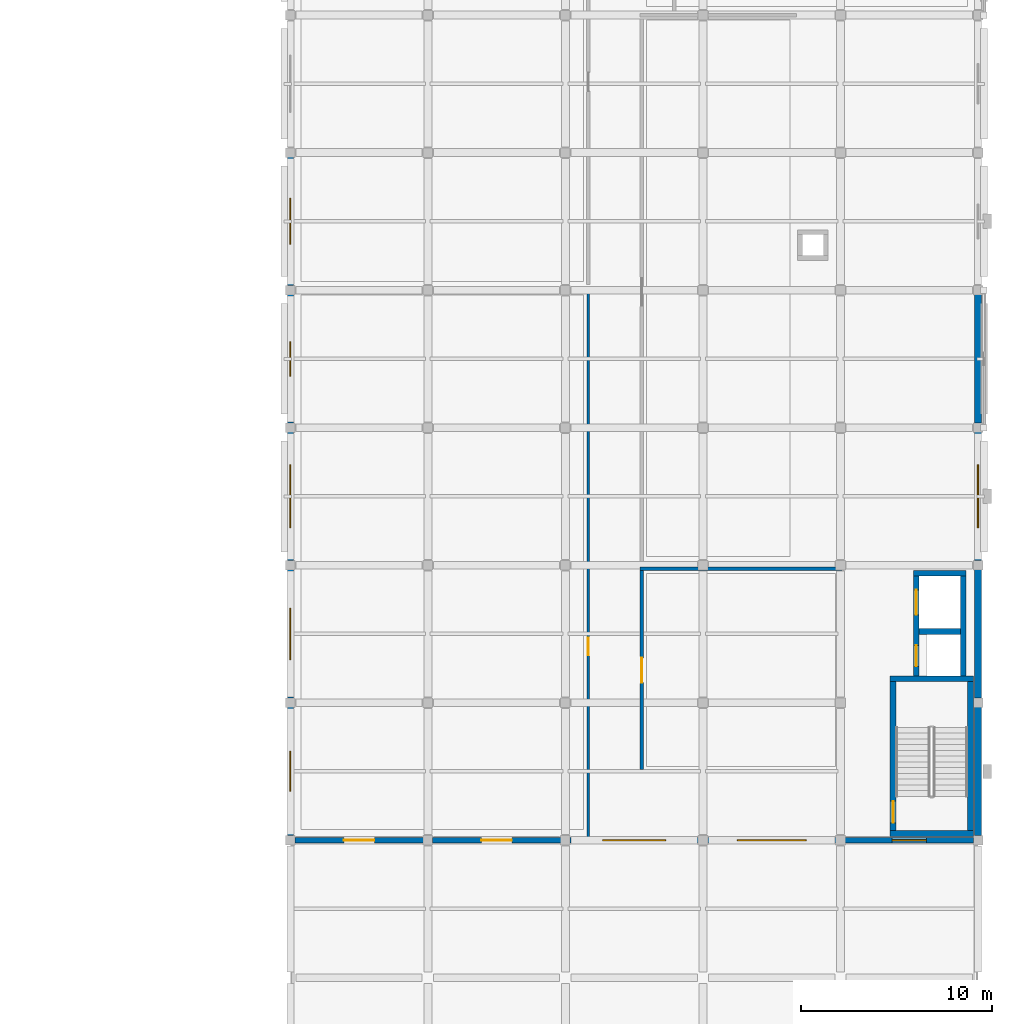
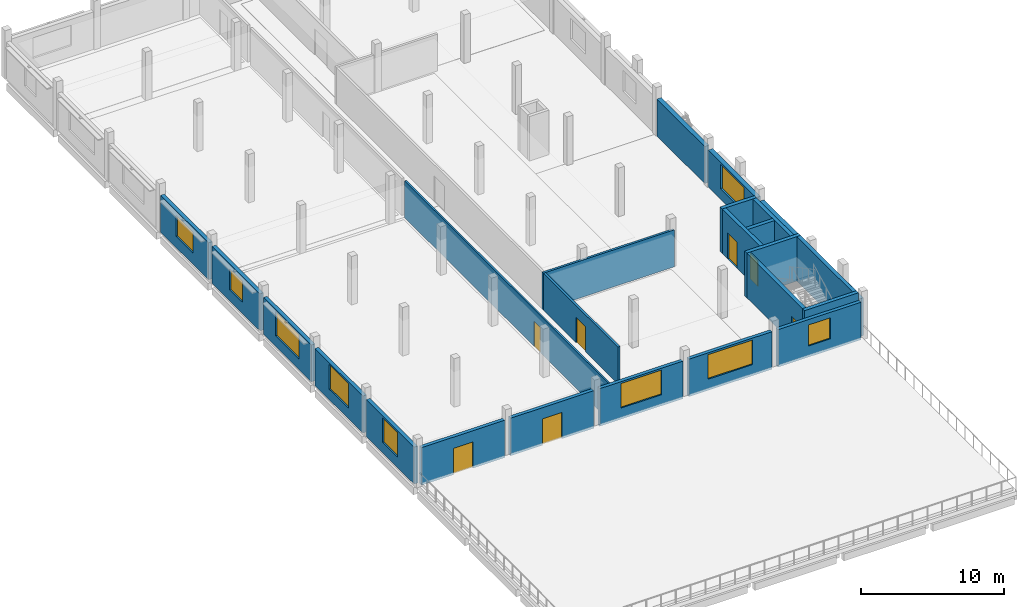
# One storey, part 22 of 33: 25 walls, 9 windows, 7 doors, 16 openings.
"""IFC4 building model written with IfcOpenShell, lengths in metres."""

from ifc_helpers import new_model, si_unit, direction, frame, frame_2d, origin, place, context, subcontext, project, spatial, rectangle, extrude, material, layer, layer_set, type_object, element, fill, save


model = new_model("IFC4")

# Units and contexts
model_context = context("Model", 3, precision=1e-05, world=origin(), true_north=direction((0.0, 1.0)))
body_context = subcontext(model_context, "Body", "Model", "MODEL_VIEW")
ifc_project = project(units=[si_unit("LENGTHUNIT", "METRE"), si_unit("AREAUNIT", "SQUARE_METRE"), si_unit("VOLUMEUNIT", "CUBIC_METRE"), si_unit("PLANEANGLEUNIT", "RADIAN"), si_unit("MASSUNIT", "GRAM", prefix="KILO")], contexts=[model_context])

# Site, building, storey
site_placement = place(None, origin())
site = spatial("IfcSite", under=ifc_project, at=site_placement, CompositionType="ELEMENT")
building_placement = place(site_placement, origin())
building = spatial("IfcBuilding", under=site, at=building_placement, Name="Valkovuoma Quantum and Materials Research Institute", CompositionType="ELEMENT")
storey_placement = place(building_placement, frame((0.0, 0.0, 21.43994140625)))
storey = spatial("IfcBuildingStorey", under=building, at=storey_placement, Name="L05", CompositionType="ELEMENT", Elevation=21.43994140625)

# Walls
ifc_material_1 = material(Name="Concrete C40/50", Category="concrete")
ifc_layer_1 = layer(ifc_material_1, 0.300048828125)
ifc_layer_set_1 = layer_set([ifc_layer_1], Name="Concrete C40/50")
wall_type_1 = type_object("IfcWallType", Name="Wall-W-COR300", PredefinedType="SHEAR", material=ifc_layer_set_1)
for number, where, z_axis, x_axis, name in (
    (1, (161.0, 57.949951171875, 0.0), (0.0, 0.0, 1.0), (1.0, 0.0, 0.0), "L05 core wall 0247"),
    (2, (161.0, 66.050048828125, 0.0), (0.0, 0.0, 1.0), (1.0, 0.0, 0.0), "L05 core wall 0248"),
):
    element("IfcWall", number, at=place(storey_placement, frame(where, z_axis=z_axis, x_axis=x_axis)), inside=storey, type_object=wall_type_1, Name=name, PredefinedType="SHEAR", context=body_context, shape_type="SweptSolid", body=[
        extrude(rectangle(XDim=4.35009765625, YDim=0.300048828125, at=frame_2d((2.175048828125, 0.0))), origin(), (0.0, 0.0, 1.0), 3.81005859375),
    ])

# Wall, opening, door
wall_1_placement = place(storey_placement, frame((161.14990234375, 58.10009765625, 0.0), z_axis=(0.0, 0.0, 1.0), x_axis=(0.0, 1.0, 0.0)))
wall_1 = element("IfcWall", 3, at=wall_1_placement, inside=storey, type_object=wall_type_1, Name="L05 core wall 0249", PredefinedType="SHEAR", context=body_context, shape_type="SweptSolid", body=[
    extrude(rectangle(XDim=7.7998046875, YDim=0.300048828125, at=frame_2d((3.89990234375, 0.0))), origin(), (0.0, 0.0, 1.0), 3.81005859375),
])
opening_1_placement = place(wall_1_placement, frame((0.39990234375, 0.0, 0.0)))
opening_1 = element("IfcOpeningElement", 4, at=opening_1_placement, cuts=wall_1, Name="Opening SD-040", PredefinedType="OPENING", context=body_context, shape_type="SweptSolid", body=[
    extrude(rectangle(XDim=1.14990234375, YDim=2.199951171875, at=frame_2d((0.574951171875, 1.10009765625))), frame((0.0, 0.16015625, 0.0), z_axis=(0.0, -1.0, 0.0), x_axis=(1.0, 0.0, 0.0)), (0.0, 0.0, 1.0), 0.320068359375),
])
ifc_material_2 = material(Name="Powder-coated steel and acoustic timber door assembly", Category="steel")
door_type_1 = type_object("IfcDoorType", Name="Door-DR-ST60", OperationType="NOTDEFINED", PredefinedType="DOOR", material=ifc_material_2)
door_1_placement = place(opening_1_placement, frame((1.14990234375, 0.0, 0.0), z_axis=(0.0, 0.0, 1.0), x_axis=(-1.0, 0.0, 0.0)))
door_1 = element("IfcDoor", 5, at=door_1_placement, inside=storey, type_object=door_type_1, Name="L05 ST-3 fire door", OperationType="SINGLE_SWING_LEFT", OverallHeight=2.199951171875, OverallWidth=1.14990234375, PredefinedType="DOOR", context=body_context, shape_type="SweptSolid", body=[
    extrude(rectangle(XDim=1.14990234375, YDim=2.199951171875, at=frame_2d((0.574951171875, 1.10009765625))), frame((0.0, 0.02490234375, 0.0), z_axis=(0.0, -1.0, 0.0), x_axis=(1.0, 0.0, 0.0)), (0.0, 0.0, 1.0), 0.050048828125),
])
fill(opening_1, door_1)

# Walls
wall_2_placement = place(storey_placement, frame((165.199951171875, 58.10009765625, 0.0), z_axis=(0.0, 0.0, 1.0), x_axis=(0.0, 1.0, 0.0)))
element("IfcWall", 6, at=wall_2_placement, inside=storey, type_object=wall_type_1, Name="L05 core wall 0250", PredefinedType="SHEAR", context=body_context, shape_type="SweptSolid", body=[
    extrude(rectangle(XDim=7.7998046875, YDim=0.300048828125, at=frame_2d((3.89990234375, 0.0))), origin(), (0.0, 0.0, 1.0), 3.81005859375),
])
wall_3_placement = place(storey_placement, frame((162.219970703125, 71.580078125, 0.0), z_axis=(0.0, 0.0, 1.0), x_axis=(1.0, 0.0, 0.0)))
element("IfcWall", 7, at=wall_3_placement, inside=storey, type_object=wall_type_1, Name="L05 core wall 0251", PredefinedType="SHEAR", context=body_context, shape_type="SweptSolid", body=[
    extrude(rectangle(XDim=2.760009765625, YDim=0.300048828125, at=frame_2d((1.3798828125, 0.0))), origin(), (0.0, 0.0, 1.0), 3.81005859375),
])
wall_4_placement = place(storey_placement, frame((162.52001953125, 68.52490234375, 0.0), z_axis=(0.0, 0.0, 1.0), x_axis=(1.0, 0.0, 0.0)))
element("IfcWall", 8, at=wall_4_placement, inside=storey, type_object=wall_type_1, Name="L05 core wall 0252", PredefinedType="SHEAR", context=body_context, shape_type="SweptSolid", body=[
    extrude(rectangle(XDim=2.159912109375, YDim=0.300048828125, at=frame_2d((1.080078125, 0.0))), origin(), (0.0, 0.0, 1.0), 3.81005859375),
])

# Wall, openings, doors
wall_5_placement = place(storey_placement, frame((162.3701171875, 66.199951171875, 0.0), z_axis=(0.0, 0.0, 1.0), x_axis=(0.0, 1.0, 0.0)))
wall_5 = element("IfcWall", 9, at=wall_5_placement, inside=storey, type_object=wall_type_1, Name="L05 core wall 0253", PredefinedType="SHEAR", context=body_context, shape_type="SweptSolid", body=[
    extrude(rectangle(XDim=5.22998046875, YDim=0.300048828125, at=frame_2d((2.614990234375, 0.0))), origin(), (0.0, 0.0, 1.0), 3.81005859375),
])
opening_2_placement = place(wall_5_placement, frame((0.5, 0.0, 0.0)))
opening_2 = element("IfcOpeningElement", 10, at=opening_2_placement, cuts=wall_5, Name="Opening LD-046", PredefinedType="OPENING", context=body_context, shape_type="SweptSolid", body=[
    extrude(rectangle(XDim=1.10009765625, YDim=2.199951171875, at=frame_2d((0.550048828125, 1.10009765625))), frame((0.0, 0.16015625, 0.0), z_axis=(0.0, -1.0, 0.0), x_axis=(1.0, 0.0, 0.0)), (0.0, 0.0, 1.0), 0.320068359375),
])
opening_3_placement = place(wall_5_placement, frame((3.199951171875, 0.0, 0.0)))
opening_3 = element("IfcOpeningElement", 11, at=opening_3_placement, cuts=wall_5, Name="Opening LD-047", PredefinedType="OPENING", context=body_context, shape_type="SweptSolid", body=[
    extrude(rectangle(XDim=1.300048828125, YDim=2.199951171875, at=frame_2d((0.64990234375, 1.10009765625))), frame((0.0, 0.16015625, 0.0), z_axis=(0.0, -1.0, 0.0), x_axis=(1.0, 0.0, 0.0)), (0.0, 0.0, 1.0), 0.320068359375),
])
ifc_material_3 = material(Name="Powder-coated steel and acoustic timber door assembly", Category="steel")
door_type_2 = type_object("IfcDoorType", Name="Door-DR-LD01", OperationType="NOTDEFINED", PredefinedType="DOOR", material=ifc_material_3)
door_2_placement = place(opening_2_placement, origin())
door_2 = element("IfcDoor", 12, at=door_2_placement, inside=storey, type_object=door_type_2, Name="L05 LIFT-P3 sliding landing door", OperationType="SLIDING_TO_LEFT", OverallHeight=2.199951171875, OverallWidth=1.10009765625, PredefinedType="DOOR", context=body_context, shape_type="SweptSolid", body=[
    extrude(rectangle(XDim=1.10009765625, YDim=2.199951171875, at=frame_2d((0.550048828125, 1.10009765625))), frame((0.0, 0.02490234375, 0.0), z_axis=(0.0, -1.0, 0.0), x_axis=(1.0, 0.0, 0.0)), (0.0, 0.0, 1.0), 0.050048828125),
])
fill(opening_2, door_2)
ifc_material_4 = material(Name="Powder-coated steel and acoustic timber door assembly", Category="steel")
door_type_3 = type_object("IfcDoorType", Name="Door-DR-LD02", OperationType="NOTDEFINED", PredefinedType="DOOR", material=ifc_material_4)
door_3_placement = place(opening_3_placement, origin())
door_3 = element("IfcDoor", 13, at=door_3_placement, inside=storey, type_object=door_type_3, Name="L05 LIFT-G1 sliding landing door", OperationType="SLIDING_TO_LEFT", OverallHeight=2.199951171875, OverallWidth=1.300048828125, PredefinedType="DOOR", context=body_context, shape_type="SweptSolid", body=[
    extrude(rectangle(XDim=1.300048828125, YDim=2.199951171875, at=frame_2d((0.64990234375, 1.10009765625))), frame((0.0, 0.02490234375, 0.0), z_axis=(0.0, -1.0, 0.0), x_axis=(1.0, 0.0, 0.0)), (0.0, 0.0, 1.0), 0.050048828125),
])
fill(opening_3, door_3)

# Wall
wall_6_placement = place(storey_placement, frame((164.830078125, 66.199951171875, 0.0), z_axis=(0.0, 0.0, 1.0), x_axis=(0.0, 1.0, 0.0)))
element("IfcWall", 14, at=wall_6_placement, inside=storey, type_object=wall_type_1, Name="L05 core wall 0254", PredefinedType="SHEAR", context=body_context, shape_type="SweptSolid", body=[
    extrude(rectangle(XDim=5.22998046875, YDim=0.300048828125, at=frame_2d((2.614990234375, 0.0))), origin(), (0.0, 0.0, 1.0), 3.81005859375),
])

# Wall, opening, door
ifc_material_5 = material(Name="Precast concrete C40/50", Category="concrete")
ifc_layer_2 = layer(ifc_material_5, 0.280029296875)
ifc_layer_set_2 = layer_set([ifc_layer_2], Name="Precast concrete C40/50")
wall_type_2 = type_object("IfcWallType", Name="Wall-W-EXT280", PredefinedType="SOLIDWALL", material=ifc_layer_set_2)
wall_7_placement = place(storey_placement, frame((129.840087890625, 57.60009765625, 0.0), z_axis=(0.0, 0.0, 1.0), x_axis=(1.0, 0.0, 0.0)))
wall_7 = element("IfcWall", 15, at=wall_7_placement, inside=storey, type_object=wall_type_2, Name="L05 exterior wall 0354", PredefinedType="SOLIDWALL", context=body_context, shape_type="SweptSolid", body=[
    extrude(rectangle(XDim=6.719970703125, YDim=0.280029296875, at=frame_2d((3.35986328125, 0.0))), origin(), (0.0, 0.0, 1.0), 3.2099609375),
])
opening_4_placement = place(wall_7_placement, frame((2.56005859375, 0.0, 0.0)))
opening_4 = element("IfcOpeningElement", 16, at=opening_4_placement, cuts=wall_7, Name="Opening ED-030", PredefinedType="OPENING", context=body_context, shape_type="SweptSolid", body=[
    extrude(rectangle(XDim=1.60009765625, YDim=2.25, at=frame_2d((0.800048828125, 1.125))), frame((0.0, 0.14990234375, 0.0), z_axis=(0.0, -1.0, 0.0), x_axis=(1.0, 0.0, 0.0)), (0.0, 0.0, 1.0), 0.300048828125),
])
ifc_material_6 = material(Name="Thermally broken insulated aluminium and steel door", Category="steel")
door_type_4 = type_object("IfcDoorType", Name="Door-DR-TR04", OperationType="NOTDEFINED", PredefinedType="DOOR", material=ifc_material_6)
door_4_placement = place(opening_4_placement, frame((1.60009765625, 0.0, 0.0), z_axis=(0.0, 0.0, 1.0), x_axis=(-1.0, 0.0, 0.0)))
door_4 = element("IfcDoor", 17, at=door_4_placement, inside=storey, type_object=door_type_4, Name="L05 exterior door 030", OperationType="DOUBLE_DOOR_SINGLE_SWING", OverallHeight=2.25, OverallWidth=1.60009765625, PredefinedType="DOOR", context=body_context, shape_type="SweptSolid", body=[
    extrude(rectangle(XDim=1.60009765625, YDim=2.25, at=frame_2d((0.800048828125, 1.125))), frame((0.0, 0.02490234375, 0.0), z_axis=(0.0, -1.0, 0.0), x_axis=(1.0, 0.0, 0.0)), (0.0, 0.0, 1.0), 0.050048828125),
])
fill(opening_4, door_4)

wall_8_placement = place(storey_placement, frame((137.0400390625, 57.60009765625, 0.0), z_axis=(0.0, 0.0, 1.0), x_axis=(1.0, 0.0, 0.0)))
wall_8 = element("IfcWall", 18, at=wall_8_placement, inside=storey, type_object=wall_type_2, Name="L05 exterior wall 0355", PredefinedType="SOLIDWALL", context=body_context, shape_type="SweptSolid", body=[
    extrude(rectangle(XDim=6.719970703125, YDim=0.280029296875, at=frame_2d((3.35986328125, 0.0))), origin(), (0.0, 0.0, 1.0), 3.2099609375),
])
opening_5_placement = place(wall_8_placement, frame((2.56005859375, 0.0, 0.0)))
opening_5 = element("IfcOpeningElement", 19, at=opening_5_placement, cuts=wall_8, Name="Opening ED-031", PredefinedType="OPENING", context=body_context, shape_type="SweptSolid", body=[
    extrude(rectangle(XDim=1.60009765625, YDim=2.25, at=frame_2d((0.800048828125, 1.125))), frame((0.0, 0.14990234375, 0.0), z_axis=(0.0, -1.0, 0.0), x_axis=(1.0, 0.0, 0.0)), (0.0, 0.0, 1.0), 0.300048828125),
])
door_5_placement = place(opening_5_placement, frame((1.60009765625, 0.0, 0.0), z_axis=(0.0, 0.0, 1.0), x_axis=(-1.0, 0.0, 0.0)))
door_5 = element("IfcDoor", 20, at=door_5_placement, inside=storey, type_object=door_type_4, Name="L05 exterior door 031", OperationType="DOUBLE_DOOR_SINGLE_SWING", OverallHeight=2.25, OverallWidth=1.60009765625, PredefinedType="DOOR", context=body_context, shape_type="SweptSolid", body=[
    extrude(rectangle(XDim=1.60009765625, YDim=2.25, at=frame_2d((0.800048828125, 1.125))), frame((0.0, 0.02490234375, 0.0), z_axis=(0.0, -1.0, 0.0), x_axis=(1.0, 0.0, 0.0)), (0.0, 0.0, 1.0), 0.050048828125),
])
fill(opening_5, door_5)

# Wall, opening, window
wall_9_placement = place(storey_placement, frame((144.239990234375, 57.60009765625, 0.0), z_axis=(0.0, 0.0, 1.0), x_axis=(1.0, 0.0, 0.0)))
wall_9 = element("IfcWall", 21, at=wall_9_placement, inside=storey, type_object=wall_type_2, Name="L05 exterior wall 0356", PredefinedType="SOLIDWALL", context=body_context, shape_type="SweptSolid", body=[
    extrude(rectangle(XDim=6.719970703125, YDim=0.280029296875, at=frame_2d((3.35986328125, 0.0))), origin(), (0.0, 0.0, 1.0), 3.2099609375),
])
opening_6_placement = place(wall_9_placement, frame((1.7099609375, 0.0, 0.949951171875)))
opening_6 = element("IfcOpeningElement", 22, at=opening_6_placement, cuts=wall_9, Name="Opening WN-WL06", PredefinedType="OPENING", context=body_context, shape_type="SweptSolid", body=[
    extrude(rectangle(XDim=3.300048828125, YDim=2.10009765625, at=frame_2d((1.64990234375, 1.050048828125))), frame((0.0, 0.14990234375, 0.0), z_axis=(0.0, -1.0, 0.0), x_axis=(1.0, 0.0, 0.0)), (0.0, 0.0, 1.0), 0.300048828125),
])
ifc_material_7 = material(Name="Triple low-E argon glazing in thermally broken aluminium frame", Category="aluminium")
window_type_1 = type_object("IfcWindowType", Name="Win-WN-WL06", PartitioningType="SINGLE_PANEL", PredefinedType="WINDOW", material=ifc_material_7)
window_1_placement = place(opening_6_placement, origin())
window_1 = element("IfcWindow", 23, at=window_1_placement, inside=storey, type_object=window_type_1, Name="L05 window 0355", OverallHeight=2.10009765625, OverallWidth=3.300048828125, PartitioningType="SINGLE_PANEL", PredefinedType="WINDOW", context=body_context, shape_type="SweptSolid", body=[
    extrude(rectangle(XDim=3.300048828125, YDim=2.10009765625, at=frame_2d((1.64990234375, 1.050048828125))), frame((0.0, 0.030029296875, 0.0), z_axis=(0.0, -1.0, 0.0), x_axis=(1.0, 0.0, 0.0)), (0.0, 0.0, 1.0), 0.06005859375),
])
fill(opening_6, window_1)

wall_10_placement = place(storey_placement, frame((151.43994140625, 57.60009765625, 0.0), z_axis=(0.0, 0.0, 1.0), x_axis=(1.0, 0.0, 0.0)))
wall_10 = element("IfcWall", 24, at=wall_10_placement, inside=storey, type_object=wall_type_2, Name="L05 exterior wall 0357", PredefinedType="SOLIDWALL", context=body_context, shape_type="SweptSolid", body=[
    extrude(rectangle(XDim=6.719970703125, YDim=0.280029296875, at=frame_2d((3.35986328125, 0.0))), origin(), (0.0, 0.0, 1.0), 3.2099609375),
])
opening_7_placement = place(wall_10_placement, frame((1.56005859375, 0.0, 0.949951171875)))
opening_7 = element("IfcOpeningElement", 25, at=opening_7_placement, cuts=wall_10, Name="Opening WN-WL07", PredefinedType="OPENING", context=body_context, shape_type="SweptSolid", body=[
    extrude(rectangle(XDim=3.60009765625, YDim=2.10009765625, at=frame_2d((1.800048828125, 1.050048828125))), frame((0.0, 0.14990234375, 0.0), z_axis=(0.0, -1.0, 0.0), x_axis=(1.0, 0.0, 0.0)), (0.0, 0.0, 1.0), 0.300048828125),
])
ifc_material_8 = material(Name="Triple low-E argon glazing in thermally broken aluminium frame", Category="aluminium")
window_type_2 = type_object("IfcWindowType", Name="Win-WN-WL07", PartitioningType="SINGLE_PANEL", PredefinedType="WINDOW", material=ifc_material_8)
window_2_placement = place(opening_7_placement, origin())
window_2 = element("IfcWindow", 26, at=window_2_placement, inside=storey, type_object=window_type_2, Name="L05 window 0356", OverallHeight=2.10009765625, OverallWidth=3.60009765625, PartitioningType="SINGLE_PANEL", PredefinedType="WINDOW", context=body_context, shape_type="SweptSolid", body=[
    extrude(rectangle(XDim=3.60009765625, YDim=2.10009765625, at=frame_2d((1.800048828125, 1.050048828125))), frame((0.0, 0.030029296875, 0.0), z_axis=(0.0, -1.0, 0.0), x_axis=(1.0, 0.0, 0.0)), (0.0, 0.0, 1.0), 0.06005859375),
])
fill(opening_7, window_2)

wall_11_placement = place(storey_placement, frame((158.639892578125, 57.60009765625, 0.0), z_axis=(0.0, 0.0, 1.0), x_axis=(1.0, 0.0, 0.0)))
wall_11 = element("IfcWall", 27, at=wall_11_placement, inside=storey, type_object=wall_type_2, Name="L05 exterior wall 0358", PredefinedType="SOLIDWALL", context=body_context, shape_type="SweptSolid", body=[
    extrude(rectangle(XDim=6.72021484375, YDim=0.280029296875, at=frame_2d((3.360107421875, 0.0))), origin(), (0.0, 0.0, 1.0), 3.2099609375),
])
opening_8_placement = place(wall_11_placement, frame((2.4599609375, 0.0, 0.949951171875)))
opening_8 = element("IfcOpeningElement", 28, at=opening_8_placement, cuts=wall_11, Name="Opening WN-WL08", PredefinedType="OPENING", context=body_context, shape_type="SweptSolid", body=[
    extrude(rectangle(XDim=1.800048828125, YDim=1.800048828125, at=frame_2d((0.89990234375, 0.89990234375))), frame((0.0, 0.14990234375, 0.0), z_axis=(0.0, -1.0, 0.0), x_axis=(1.0, 0.0, 0.0)), (0.0, 0.0, 1.0), 0.300048828125),
])
ifc_material_9 = material(Name="Triple low-E argon glazing in thermally broken aluminium frame", Category="aluminium")
window_type_3 = type_object("IfcWindowType", Name="Win-WN-WL08", PartitioningType="SINGLE_PANEL", PredefinedType="WINDOW", material=ifc_material_9)
window_3_placement = place(opening_8_placement, origin())
window_3 = element("IfcWindow", 29, at=window_3_placement, inside=storey, type_object=window_type_3, Name="L05 window 0357", OverallHeight=1.800048828125, OverallWidth=1.800048828125, PartitioningType="SINGLE_PANEL", PredefinedType="WINDOW", context=body_context, shape_type="SweptSolid", body=[
    extrude(rectangle(XDim=1.800048828125, YDim=1.800048828125, at=frame_2d((0.89990234375, 0.89990234375))), frame((0.0, 0.030029296875, 0.0), z_axis=(0.0, -1.0, 0.0), x_axis=(1.0, 0.0, 0.0)), (0.0, 0.0, 1.0), 0.06005859375),
])
fill(opening_8, window_3)

ifc_material_10 = material(Name="Precast concrete C40/50", Category="concrete")
ifc_layer_3 = layer(ifc_material_10, 0.300048828125)
ifc_layer_set_3 = layer_set([ifc_layer_3], Name="Precast concrete C40/50")
wall_type_3 = type_object("IfcWallType", Name="Wall-W-EXT300", PredefinedType="SOLIDWALL", material=ifc_layer_set_3)
wall_12_placement = place(storey_placement, frame((129.60009765625, 57.840087890625, 0.0), z_axis=(0.0, 0.0, 1.0), x_axis=(0.0, 1.0, 0.0)))
wall_12 = element("IfcWall", 30, at=wall_12_placement, inside=storey, type_object=wall_type_3, Name="L05 exterior wall 0346", PredefinedType="SOLIDWALL", context=body_context, shape_type="SweptSolid", body=[
    extrude(rectangle(XDim=6.719970703125, YDim=0.300048828125, at=frame_2d((3.35986328125, 0.0))), origin(), (0.0, 0.0, 1.0), 3.16015625),
])
opening_9_placement = place(wall_12_placement, frame((2.31005859375, 0.0, 0.89990234375)))
opening_9 = element("IfcOpeningElement", 31, at=opening_9_placement, cuts=wall_12, Name="Opening WN-WL02", PredefinedType="OPENING", context=body_context, shape_type="SweptSolid", body=[
    extrude(rectangle(XDim=2.10009765625, YDim=2.10009765625, at=frame_2d((1.050048828125, 1.050048828125))), frame((0.0, 0.16015625, 0.0), z_axis=(0.0, -1.0, 0.0), x_axis=(1.0, 0.0, 0.0)), (0.0, 0.0, 1.0), 0.320068359375),
])
ifc_material_11 = material(Name="Triple low-E argon glazing in thermally broken aluminium frame", Category="aluminium")
window_type_4 = type_object("IfcWindowType", Name="Win-WN-WL02", PartitioningType="SINGLE_PANEL", PredefinedType="WINDOW", material=ifc_material_11)
window_4_placement = place(opening_9_placement, origin())
window_4 = element("IfcWindow", 32, at=window_4_placement, inside=storey, type_object=window_type_4, Name="L05 window 0347", OverallHeight=2.10009765625, OverallWidth=2.10009765625, PartitioningType="SINGLE_PANEL", PredefinedType="WINDOW", context=body_context, shape_type="SweptSolid", body=[
    extrude(rectangle(XDim=2.10009765625, YDim=2.10009765625, at=frame_2d((1.050048828125, 1.050048828125))), frame((0.0, 0.030029296875, 0.0), z_axis=(0.0, -1.0, 0.0), x_axis=(1.0, 0.0, 0.0)), (0.0, 0.0, 1.0), 0.06005859375),
])
fill(opening_9, window_4)

wall_13_placement = place(storey_placement, frame((129.60009765625, 65.0400390625, 0.0), z_axis=(0.0, 0.0, 1.0), x_axis=(0.0, 1.0, 0.0)))
wall_13 = element("IfcWall", 33, at=wall_13_placement, inside=storey, type_object=wall_type_3, Name="L05 exterior wall 0347", PredefinedType="SOLIDWALL", context=body_context, shape_type="SweptSolid", body=[
    extrude(rectangle(XDim=6.719970703125, YDim=0.300048828125, at=frame_2d((3.35986328125, 0.0))), origin(), (0.0, 0.0, 1.0), 3.16015625),
])
opening_10_placement = place(wall_13_placement, frame((2.010009765625, 0.0, 0.89990234375)))
opening_10 = element("IfcOpeningElement", 34, at=opening_10_placement, cuts=wall_13, Name="Opening WN-WL04", PredefinedType="OPENING", context=body_context, shape_type="SweptSolid", body=[
    extrude(rectangle(XDim=2.699951171875, YDim=2.10009765625, at=frame_2d((1.35009765625, 1.050048828125))), frame((0.0, 0.16015625, 0.0), z_axis=(0.0, -1.0, 0.0), x_axis=(1.0, 0.0, 0.0)), (0.0, 0.0, 1.0), 0.320068359375),
])
ifc_material_12 = material(Name="Triple low-E argon glazing in thermally broken aluminium frame", Category="aluminium")
window_type_5 = type_object("IfcWindowType", Name="Win-WN-WL04", PartitioningType="SINGLE_PANEL", PredefinedType="WINDOW", material=ifc_material_12)
window_5_placement = place(opening_10_placement, origin())
window_5 = element("IfcWindow", 35, at=window_5_placement, inside=storey, type_object=window_type_5, Name="L05 window 0348", OverallHeight=2.10009765625, OverallWidth=2.699951171875, PartitioningType="SINGLE_PANEL", PredefinedType="WINDOW", context=body_context, shape_type="SweptSolid", body=[
    extrude(rectangle(XDim=2.699951171875, YDim=2.10009765625, at=frame_2d((1.35009765625, 1.050048828125))), frame((0.0, 0.030029296875, 0.0), z_axis=(0.0, -1.0, 0.0), x_axis=(1.0, 0.0, 0.0)), (0.0, 0.0, 1.0), 0.06005859375),
])
fill(opening_10, window_5)

wall_14_placement = place(storey_placement, frame((129.60009765625, 72.239990234375, 0.0), z_axis=(0.0, 0.0, 1.0), x_axis=(0.0, 1.0, 0.0)))
wall_14 = element("IfcWall", 36, at=wall_14_placement, inside=storey, type_object=wall_type_3, Name="L05 exterior wall 0348", PredefinedType="SOLIDWALL", context=body_context, shape_type="SweptSolid", body=[
    extrude(rectangle(XDim=6.719970703125, YDim=0.300048828125, at=frame_2d((3.35986328125, 0.0))), origin(), (0.0, 0.0, 1.0), 3.16015625),
])
opening_11_placement = place(wall_14_placement, frame((1.7099609375, 0.0, 0.89990234375)))
opening_11 = element("IfcOpeningElement", 37, at=opening_11_placement, cuts=wall_14, Name="Opening WN-WL06", PredefinedType="OPENING", context=body_context, shape_type="SweptSolid", body=[
    extrude(rectangle(XDim=3.300048828125, YDim=2.10009765625, at=frame_2d((1.64990234375, 1.050048828125))), frame((0.0, 0.16015625, 0.0), z_axis=(0.0, -1.0, 0.0), x_axis=(1.0, 0.0, 0.0)), (0.0, 0.0, 1.0), 0.320068359375),
])
window_6_placement = place(opening_11_placement, origin())
window_6 = element("IfcWindow", 38, at=window_6_placement, inside=storey, type_object=window_type_1, Name="L05 window 0349", OverallHeight=2.10009765625, OverallWidth=3.300048828125, PartitioningType="SINGLE_PANEL", PredefinedType="WINDOW", context=body_context, shape_type="SweptSolid", body=[
    extrude(rectangle(XDim=3.300048828125, YDim=2.10009765625, at=frame_2d((1.64990234375, 1.050048828125))), frame((0.0, 0.030029296875, 0.0), z_axis=(0.0, -1.0, 0.0), x_axis=(1.0, 0.0, 0.0)), (0.0, 0.0, 1.0), 0.06005859375),
])
fill(opening_11, window_6)

wall_15_placement = place(storey_placement, frame((129.60009765625, 79.43994140625, 0.0), z_axis=(0.0, 0.0, 1.0), x_axis=(0.0, 1.0, 0.0)))
wall_15 = element("IfcWall", 39, at=wall_15_placement, inside=storey, type_object=wall_type_3, Name="L05 exterior wall 0349", PredefinedType="SOLIDWALL", context=body_context, shape_type="SweptSolid", body=[
    extrude(rectangle(XDim=6.719970703125, YDim=0.300048828125, at=frame_2d((3.35986328125, 0.0))), origin(), (0.0, 0.0, 1.0), 3.16015625),
])
opening_12_placement = place(wall_15_placement, frame((2.4599609375, 0.0, 0.949951171875)))
opening_12 = element("IfcOpeningElement", 40, at=opening_12_placement, cuts=wall_15, Name="Opening WN-WL08", PredefinedType="OPENING", context=body_context, shape_type="SweptSolid", body=[
    extrude(rectangle(XDim=1.800048828125, YDim=1.800048828125, at=frame_2d((0.89990234375, 0.89990234375))), frame((0.0, 0.16015625, 0.0), z_axis=(0.0, -1.0, 0.0), x_axis=(1.0, 0.0, 0.0)), (0.0, 0.0, 1.0), 0.320068359375),
])
window_7_placement = place(opening_12_placement, origin())
window_7 = element("IfcWindow", 41, at=window_7_placement, inside=storey, type_object=window_type_3, Name="L05 window 0350", OverallHeight=1.800048828125, OverallWidth=1.800048828125, PartitioningType="SINGLE_PANEL", PredefinedType="WINDOW", context=body_context, shape_type="SweptSolid", body=[
    extrude(rectangle(XDim=1.800048828125, YDim=1.800048828125, at=frame_2d((0.89990234375, 0.89990234375))), frame((0.0, 0.030029296875, 0.0), z_axis=(0.0, -1.0, 0.0), x_axis=(1.0, 0.0, 0.0)), (0.0, 0.0, 1.0), 0.06005859375),
])
fill(opening_12, window_7)

wall_16_placement = place(storey_placement, frame((129.60009765625, 86.639892578125, 0.0), z_axis=(0.0, 0.0, 1.0), x_axis=(0.0, 1.0, 0.0)))
wall_16 = element("IfcWall", 42, at=wall_16_placement, inside=storey, type_object=wall_type_3, Name="L05 exterior wall 0350", PredefinedType="SOLIDWALL", context=body_context, shape_type="SweptSolid", body=[
    extrude(rectangle(XDim=6.72021484375, YDim=0.300048828125, at=frame_2d((3.360107421875, 0.0))), origin(), (0.0, 0.0, 1.0), 3.16015625),
])
opening_13_placement = place(wall_16_placement, frame((2.159912109375, 0.0, 0.949951171875)))
opening_13 = element("IfcOpeningElement", 43, at=opening_13_placement, cuts=wall_16, Name="Opening WN-WL10", PredefinedType="OPENING", context=body_context, shape_type="SweptSolid", body=[
    extrude(rectangle(XDim=2.39990234375, YDim=1.800048828125, at=frame_2d((1.199951171875, 0.89990234375))), frame((0.0, 0.16015625, 0.0), z_axis=(0.0, -1.0, 0.0), x_axis=(1.0, 0.0, 0.0)), (0.0, 0.0, 1.0), 0.320068359375),
])
ifc_material_13 = material(Name="Triple low-E argon glazing in thermally broken aluminium frame", Category="aluminium")
window_type_6 = type_object("IfcWindowType", Name="Win-WN-WL10", PartitioningType="SINGLE_PANEL", PredefinedType="WINDOW", material=ifc_material_13)
window_8_placement = place(opening_13_placement, origin())
window_8 = element("IfcWindow", 44, at=window_8_placement, inside=storey, type_object=window_type_6, Name="L05 window 0351", OverallHeight=1.800048828125, OverallWidth=2.39990234375, PartitioningType="SINGLE_PANEL", PredefinedType="WINDOW", context=body_context, shape_type="SweptSolid", body=[
    extrude(rectangle(XDim=2.39990234375, YDim=1.800048828125, at=frame_2d((1.199951171875, 0.89990234375))), frame((0.0, 0.030029296875, 0.0), z_axis=(0.0, -1.0, 0.0), x_axis=(1.0, 0.0, 0.0)), (0.0, 0.0, 1.0), 0.06005859375),
])
fill(opening_13, window_8)

# Walls
ifc_material_14 = material(Name="Precast concrete C40/50", Category="concrete")
ifc_layer_4 = layer(ifc_material_14, 0.360107421875)
ifc_layer_set_4 = layer_set([ifc_layer_4], Name="Precast concrete C40/50")
wall_type_4 = type_object("IfcWallType", Name="Wall-W-EXT360", PredefinedType="SOLIDWALL", material=ifc_layer_set_4)
wall_17_placement = place(storey_placement, frame((165.60009765625, 57.840087890625, 0.0), z_axis=(0.0, 0.0, 1.0), x_axis=(0.0, 1.0, 0.0)))
element("IfcWall", 45, at=wall_17_placement, inside=storey, type_object=wall_type_4, Name="L05 exterior wall 0333", PredefinedType="SOLIDWALL", context=body_context, shape_type="SweptSolid", body=[
    extrude(rectangle(XDim=6.719970703125, YDim=0.360107421875, at=frame_2d((3.35986328125, 0.0))), origin(), (0.0, 0.0, 1.0), 3.2099609375),
])
wall_18_placement = place(storey_placement, frame((165.60009765625, 65.0400390625, 0.0), z_axis=(0.0, 0.0, 1.0), x_axis=(0.0, 1.0, 0.0)))
element("IfcWall", 46, at=wall_18_placement, inside=storey, type_object=wall_type_4, Name="L05 exterior wall 0334", PredefinedType="SOLIDWALL", context=body_context, shape_type="SweptSolid", body=[
    extrude(rectangle(XDim=6.719970703125, YDim=0.360107421875, at=frame_2d((3.35986328125, 0.0))), origin(), (0.0, 0.0, 1.0), 3.16015625),
])

# Wall, opening, window
wall_19_placement = place(storey_placement, frame((165.60009765625, 72.239990234375, 0.0), z_axis=(0.0, 0.0, 1.0), x_axis=(0.0, 1.0, 0.0)))
wall_19 = element("IfcWall", 47, at=wall_19_placement, inside=storey, type_object=wall_type_4, Name="L05 exterior wall 0335", PredefinedType="SOLIDWALL", context=body_context, shape_type="SweptSolid", body=[
    extrude(rectangle(XDim=6.719970703125, YDim=0.360107421875, at=frame_2d((3.35986328125, 0.0))), origin(), (0.0, 0.0, 1.0), 3.16015625),
])
opening_14_placement = place(wall_19_placement, frame((1.7099609375, 0.0, 0.89990234375)))
opening_14 = element("IfcOpeningElement", 48, at=opening_14_placement, cuts=wall_19, Name="Opening WN-WL06", PredefinedType="OPENING", context=body_context, shape_type="SweptSolid", body=[
    extrude(rectangle(XDim=3.300048828125, YDim=2.10009765625, at=frame_2d((1.64990234375, 1.050048828125))), frame((0.0, 0.18994140625, 0.0), z_axis=(0.0, -1.0, 0.0), x_axis=(1.0, 0.0, 0.0)), (0.0, 0.0, 1.0), 0.380126953125),
])
window_9_placement = place(opening_14_placement, origin())
window_9 = element("IfcWindow", 49, at=window_9_placement, inside=storey, type_object=window_type_1, Name="L05 window 0339", OverallHeight=2.10009765625, OverallWidth=3.300048828125, PartitioningType="SINGLE_PANEL", PredefinedType="WINDOW", context=body_context, shape_type="SweptSolid", body=[
    extrude(rectangle(XDim=3.300048828125, YDim=2.10009765625, at=frame_2d((1.64990234375, 1.050048828125))), frame((0.0, 0.030029296875, 0.0), z_axis=(0.0, -1.0, 0.0), x_axis=(1.0, 0.0, 0.0)), (0.0, 0.0, 1.0), 0.06005859375),
])
fill(opening_14, window_9)

# Wall
wall_20_placement = place(storey_placement, frame((165.60009765625, 79.43994140625, 0.0), z_axis=(0.0, 0.0, 1.0), x_axis=(0.0, 1.0, 0.0)))
element("IfcWall", 50, at=wall_20_placement, inside=storey, type_object=wall_type_4, Name="L05 exterior wall 0336", PredefinedType="SOLIDWALL", context=body_context, shape_type="SweptSolid", body=[
    extrude(rectangle(XDim=6.719970703125, YDim=0.360107421875, at=frame_2d((3.35986328125, 0.0))), origin(), (0.0, 0.0, 1.0), 3.16015625),
])

# Wall, opening, door
ifc_material_15 = material(Name="Interior office stud partition", Category="masonry")
ifc_layer_5 = layer(ifc_material_15, 0.135009765625)
ifc_layer_set_5 = layer_set([ifc_layer_5], Name="Interior office stud partition")
wall_type_5 = type_object("IfcWallType", Name="Wall-W-PRT135", PredefinedType="PARTITIONING", material=ifc_layer_set_5)
wall_21_placement = place(storey_placement, frame((145.199951171875, 57.739990234375, 0.0), z_axis=(0.0, 0.0, 1.0), x_axis=(0.0, 1.0, 0.0)))
wall_21 = element("IfcWall", 51, at=wall_21_placement, inside=storey, type_object=wall_type_5, Name="L05 partition 0216", PredefinedType="PARTITIONING", context=body_context, shape_type="SweptSolid", body=[
    extrude(rectangle(XDim=28.592529296875, YDim=0.135009765625, at=frame_2d((14.29638671875, 0.0))), origin(), (0.0, 0.0, 1.0), 3.16015625),
])
opening_15_placement = place(wall_21_placement, frame((9.54736328125, 0.0, 0.0)))
opening_15 = element("IfcOpeningElement", 52, at=opening_15_placement, cuts=wall_21, Name="Opening ID-0155", PredefinedType="OPENING", context=body_context, shape_type="SweptSolid", body=[
    extrude(rectangle(XDim=0.919921875, YDim=2.14990234375, at=frame_2d((0.4599609375, 1.074951171875))), frame((0.0, 0.07763671875, 0.0), z_axis=(0.0, -1.0, 0.0), x_axis=(1.0, 0.0, 0.0)), (0.0, 0.0, 1.0), 0.155029296875),
])
ifc_material_16 = material(Name="Powder-coated steel and acoustic timber door assembly", Category="steel")
door_type_5 = type_object("IfcDoorType", Name="Door-DR-OF05", OperationType="NOTDEFINED", PredefinedType="DOOR", material=ifc_material_16)
door_6_placement = place(opening_15_placement, origin())
door_6 = element("IfcDoor", 53, at=door_6_placement, inside=storey, type_object=door_type_5, Name="L05 room door 0155", OperationType="SINGLE_SWING_RIGHT", OverallHeight=2.14990234375, OverallWidth=0.919921875, PredefinedType="DOOR", context=body_context, shape_type="SweptSolid", body=[
    extrude(rectangle(XDim=0.919921875, YDim=2.14990234375, at=frame_2d((0.4599609375, 1.074951171875))), frame((0.0, 0.02490234375, 0.0), z_axis=(0.0, -1.0, 0.0), x_axis=(1.0, 0.0, 0.0)), (0.0, 0.0, 1.0), 0.050048828125),
])
fill(opening_15, door_6)

# Wall
ifc_material_17 = material(Name="Laboratory fire-rated gypsum partition", Category="masonry")
ifc_layer_6 = layer(ifc_material_17, 0.179931640625)
ifc_layer_set_6 = layer_set([ifc_layer_6], Name="Laboratory fire-rated gypsum partition")
wall_type_6 = type_object("IfcWallType", Name="Wall-W-PRT180", PredefinedType="PARTITIONING", material=ifc_layer_set_6)
wall_22_placement = place(storey_placement, frame((147.909912109375, 71.800048828125, 0.0), z_axis=(0.0, 0.0, 1.0), x_axis=(1.0, 0.0, 0.0)))
element("IfcWall", 54, at=wall_22_placement, inside=storey, type_object=wall_type_6, Name="L05 partition 0219", PredefinedType="PARTITIONING", context=body_context, shape_type="SweptSolid", body=[
    extrude(rectangle(XDim=10.580078125, YDim=0.179931640625, at=frame_2d((5.2900390625, 0.0))), origin(), (0.0, 0.0, 1.0), 3.16015625),
])

# Wall, opening, door
wall_23_placement = place(storey_placement, frame((148.0, 61.2900390625, 0.0), z_axis=(0.0, 0.0, 1.0), x_axis=(0.0, 1.0, 0.0)))
wall_23 = element("IfcWall", 55, at=wall_23_placement, inside=storey, type_object=wall_type_6, Name="L05 partition 0220", PredefinedType="PARTITIONING", context=body_context, shape_type="SweptSolid", body=[
    extrude(rectangle(XDim=10.419921875, YDim=0.179931640625, at=frame_2d((5.2099609375, 0.0))), origin(), (0.0, 0.0, 1.0), 3.16015625),
])
opening_16_placement = place(wall_23_placement, frame((4.56005859375, 0.0, 0.0)))
opening_16 = element("IfcOpeningElement", 56, at=opening_16_placement, cuts=wall_23, Name="Opening ID-0158", PredefinedType="OPENING", context=body_context, shape_type="SweptSolid", body=[
    extrude(rectangle(XDim=1.300048828125, YDim=2.14990234375, at=frame_2d((0.64990234375, 1.074951171875))), frame((0.0, 0.10009765625, 0.0), z_axis=(0.0, -1.0, 0.0), x_axis=(1.0, 0.0, 0.0)), (0.0, 0.0, 1.0), 0.199951171875),
])
ifc_material_18 = material(Name="Powder-coated steel and acoustic timber door assembly", Category="steel")
door_type_6 = type_object("IfcDoorType", Name="Door-DR-SM02", OperationType="NOTDEFINED", PredefinedType="DOOR", material=ifc_material_18)
door_7_placement = place(opening_16_placement, origin())
door_7 = element("IfcDoor", 57, at=door_7_placement, inside=storey, type_object=door_type_6, Name="L05 room door 0158", OperationType="SINGLE_SWING_LEFT", OverallHeight=2.14990234375, OverallWidth=1.300048828125, PredefinedType="DOOR", context=body_context, shape_type="SweptSolid", body=[
    extrude(rectangle(XDim=1.300048828125, YDim=2.14990234375, at=frame_2d((0.64990234375, 1.074951171875))), frame((0.0, 0.02490234375, 0.0), z_axis=(0.0, -1.0, 0.0), x_axis=(1.0, 0.0, 0.0)), (0.0, 0.0, 1.0), 0.050048828125),
])
fill(opening_16, door_7)

save(model, "model.ifc")
